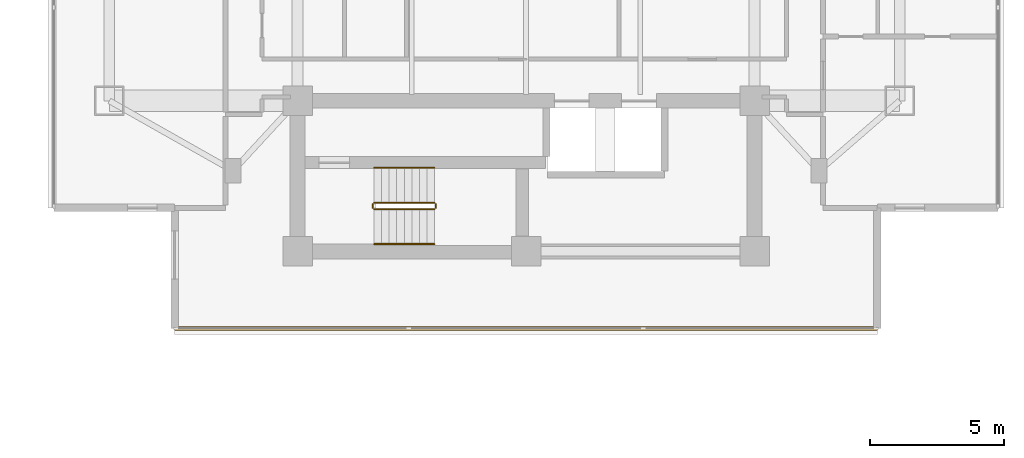
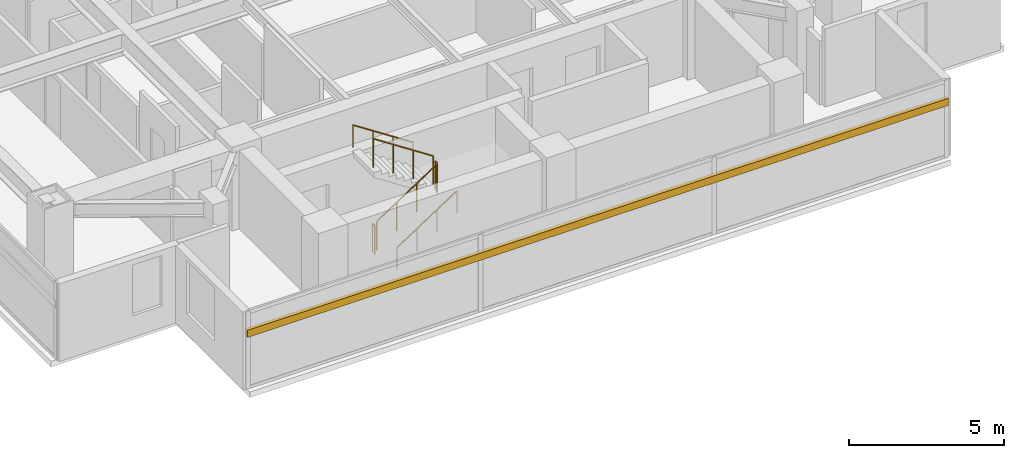
# One storey, part 24 of 26: 6 railings, 1 shading device.
"""IFC4 building model written with IfcOpenShell, lengths in metres."""

from ifc_helpers import new_model, si_unit, direction, frame, origin, origin_2d, place, context, subcontext, project, spatial, rectangle, circle, extrude, material, material_profile, profile_set, type_object, element, save


model = new_model("IFC4")

# Units and contexts
model_context = context("Model", 3, precision=1e-05, world=origin(), true_north=direction((0.0, 1.0)))
body_context = subcontext(model_context, "Body", "Model", "MODEL_VIEW")
ifc_project = project(units=[si_unit("LENGTHUNIT", "METRE"), si_unit("AREAUNIT", "SQUARE_METRE"), si_unit("VOLUMEUNIT", "CUBIC_METRE"), si_unit("PLANEANGLEUNIT", "RADIAN"), si_unit("MASSUNIT", "GRAM", prefix="KILO")], contexts=[model_context])

# Site, building, storey
site_placement = place(None, origin())
site = spatial("IfcSite", under=ifc_project, at=site_placement, CompositionType="ELEMENT")
building_placement = place(site_placement, origin())
building = spatial("IfcBuilding", under=site, at=building_placement, Name="Mirazonda Arch Towers", CompositionType="ELEMENT")
storey_placement = place(building_placement, frame((0.0, 0.0, 128.0)))
storey = spatial("IfcBuildingStorey", under=building, at=storey_placement, Name="L36", CompositionType="ELEMENT", Elevation=128.0)

# Shading device
ifc_material_1 = material(Name="Kiln-Fired Architectural Terracotta", Category="masonry")
ifc_material_profile = material_profile(ifc_material_1, rectangle(XDim=0.139892578125, YDim=0.280029296875, at=origin_2d()), Name="TERRA-BAG-140x280")
ifc_profile_set = profile_set([ifc_material_profile], Name="Kiln-Fired Architectural Terracotta")
shading_device_type = type_object("IfcShadingDeviceType", Name="BAGUETTE-3", PredefinedType="USERDEFINED", material=ifc_profile_set)
shading_device_placement = place(storey_placement, frame((89.572509765625, 12.3310546875, 2.203125), z_axis=(-1.0, 0.0, 0.0), x_axis=(0.0, -1.0, 0.0)))
element("IfcShadingDevice", 1, at=shading_device_placement, inside=storey, type_object=shading_device_type, Name="L36 Glazed Terracotta Sun-Screen Baguette CW-L36-T2-S", ObjectType="BAGUETTE", PredefinedType="USERDEFINED", context=body_context, shape_type="SweptSolid", body=[
    extrude(rectangle(XDim=0.139892578125, YDim=0.280029296875, at=origin_2d()), origin(), (0.0, 0.0, 1.0), 26.14501953125),
])

# Railings
ifc_material_2 = material(Name="Architectural Brushed Steel S355", Category="steel")
railing_type_1 = type_object("IfcRailingType", Name="GUARD-STAIR-1120", PredefinedType="GUARDRAIL", material=ifc_material_2)
railing_1_placement = place(storey_placement, frame((70.85009765625, 16.77001953125, 0.183349609375)))
element("IfcRailing", 2, at=railing_1_placement, inside=storey, type_object=railing_type_1, Name="L36 ST-T2S stair guard 1", PredefinedType="GUARDRAIL", context=body_context, shape_type="SweptSolid", body=[
    extrude(circle(Radius=0.02392578125, at=origin_2d()), frame((0.0, 0.0, 1.1259765625), z_axis=(0.836636935527, 0.0, 0.547757827979), x_axis=(0.0, 1.0, 0.0)), (0.0, 0.0, 1.0), 2.677490234375),
    extrude(circle(Radius=0.02099609375, at=origin_2d()), origin(), (0.0, 0.0, 1.0), 1.101806640625),
    extrude(circle(Radius=0.02099609375, at=origin_2d()), frame((0.74658203125, 0.0, 0.48876953125)), (0.0, 0.0, 1.0), 1.101806640625),
    extrude(circle(Radius=0.02099609375, at=origin_2d()), frame((1.493408203125, 0.0, 0.977783203125)), (0.0, 0.0, 1.0), 1.101806640625),
    extrude(circle(Radius=0.02099609375, at=origin_2d()), frame((2.239990234375, 0.0, 1.466552734375)), (0.0, 0.0, 1.0), 1.101806640625),
])
railing_2_placement = place(storey_placement, frame((73.139892578125, 16.820068359375, 1.64990234375)))
element("IfcRailing", 3, at=railing_2_placement, inside=storey, type_object=railing_type_1, Name="L36 ST-T2S stair guard 2", PredefinedType="GUARDRAIL", context=body_context, shape_type="SweptSolid", body=[
    extrude(circle(Radius=0.02392578125, at=origin_2d()), frame((0.0, 0.0, 1.1259765625), z_axis=(0.0, 1.0, 0.0), x_axis=(-1.0, 0.0, 0.0)), (0.0, 0.0, 1.0), 0.139892578125),
    extrude(circle(Radius=0.02099609375, at=origin_2d()), origin(), (0.0, 0.0, 1.0), 1.101806640625),
    extrude(circle(Radius=0.02099609375, at=origin_2d()), frame((0.0, 0.139892578125, 0.0)), (0.0, 0.0, 1.0), 1.101806640625),
])
railing_3_placement = place(storey_placement, frame((73.090087890625, 17.010009765625, 1.833251953125)))
element("IfcRailing", 4, at=railing_3_placement, inside=storey, type_object=railing_type_1, Name="L36 ST-T2S stair guard 3", PredefinedType="GUARDRAIL", context=body_context, shape_type="SweptSolid", body=[
    extrude(circle(Radius=0.02392578125, at=origin_2d()), frame((0.0, 0.0, 1.1259765625), z_axis=(-0.836595146698, 0.0, 0.547821650285), x_axis=(0.0, -1.0, 0.0)), (0.0, 0.0, 1.0), 2.677490234375),
    extrude(circle(Radius=0.02099609375, at=origin_2d()), origin(), (0.0, 0.0, 1.0), 1.101806640625),
    extrude(circle(Radius=0.02099609375, at=origin_2d()), frame((-0.74658203125, 0.0, 0.489013671875)), (0.0, 0.0, 1.0), 1.101806640625),
    extrude(circle(Radius=0.02099609375, at=origin_2d()), frame((-1.493408203125, 0.0, 0.977783203125)), (0.0, 0.0, 1.0), 1.101806640625),
    extrude(circle(Radius=0.02099609375, at=origin_2d()), frame((-2.239990234375, 0.0, 1.466796875)), (0.0, 0.0, 1.0), 1.101806640625),
])
railing_4_placement = place(storey_placement, frame((70.800048828125, 16.820068359375, 0.0)))
element("IfcRailing", 5, at=railing_4_placement, inside=storey, type_object=railing_type_1, Name="L36 ST-T2S stair guard 4", PredefinedType="GUARDRAIL", context=body_context, shape_type="SweptSolid", body=[
    extrude(circle(Radius=0.02392578125, at=origin_2d()), frame((0.0, 0.0, 1.1259765625), z_axis=(0.0, 1.0, 0.0), x_axis=(-1.0, 0.0, 0.0)), (0.0, 0.0, 1.0), 0.139892578125),
    extrude(circle(Radius=0.02099609375, at=origin_2d()), origin(), (0.0, 0.0, 1.0), 1.101806640625),
    extrude(circle(Radius=0.02099609375, at=origin_2d()), frame((0.0, 0.139892578125, 0.0)), (0.0, 0.0, 1.0), 1.101806640625),
])
railing_type_2 = type_object("IfcRailingType", Name="HANDRAIL-915", PredefinedType="HANDRAIL", material=ifc_material_2)
railing_5_placement = place(storey_placement, frame((70.85009765625, 15.469970703125, 0.183349609375)))
element("IfcRailing", 6, at=railing_5_placement, inside=storey, type_object=railing_type_2, Name="L36 ST-T2S stair handrail 1", PredefinedType="HANDRAIL", context=body_context, shape_type="SweptSolid", body=[
    extrude(circle(Radius=0.02392578125, at=origin_2d()), frame((0.0, 0.0, 0.8759765625), z_axis=(0.836636935527, 0.0, 0.547757827979), x_axis=(0.0, 1.0, 0.0)), (0.0, 0.0, 1.0), 2.677490234375),
    extrude(circle(Radius=0.02099609375, at=origin_2d()), origin(), (0.0, 0.0, 1.0), 0.851806640625),
    extrude(circle(Radius=0.02099609375, at=origin_2d()), frame((0.74658203125, 0.0, 0.48876953125)), (0.0, 0.0, 1.0), 0.851806640625),
    extrude(circle(Radius=0.02099609375, at=origin_2d()), frame((1.493408203125, 0.0, 0.977783203125)), (0.0, 0.0, 1.0), 0.851806640625),
    extrude(circle(Radius=0.02099609375, at=origin_2d()), frame((2.239990234375, 0.0, 1.466552734375)), (0.0, 0.0, 1.0), 0.851806640625),
])
railing_6_placement = place(storey_placement, frame((73.090087890625, 18.31005859375, 1.833251953125)))
element("IfcRailing", 7, at=railing_6_placement, inside=storey, type_object=railing_type_2, Name="L36 ST-T2S stair handrail 2", PredefinedType="HANDRAIL", context=body_context, shape_type="SweptSolid", body=[
    extrude(circle(Radius=0.02392578125, at=origin_2d()), frame((0.0, 0.0, 0.8759765625), z_axis=(-0.836595146698, 0.0, 0.547821650285), x_axis=(0.0, -1.0, 0.0)), (0.0, 0.0, 1.0), 2.677490234375),
    extrude(circle(Radius=0.02099609375, at=origin_2d()), origin(), (0.0, 0.0, 1.0), 0.851806640625),
    extrude(circle(Radius=0.02099609375, at=origin_2d()), frame((-0.74658203125, 0.0, 0.489013671875)), (0.0, 0.0, 1.0), 0.851806640625),
    extrude(circle(Radius=0.02099609375, at=origin_2d()), frame((-1.493408203125, 0.0, 0.977783203125)), (0.0, 0.0, 1.0), 0.851806640625),
    extrude(circle(Radius=0.02099609375, at=origin_2d()), frame((-2.239990234375, 0.0, 1.466796875)), (0.0, 0.0, 1.0), 0.851806640625),
])

save(model, "model.ifc")
